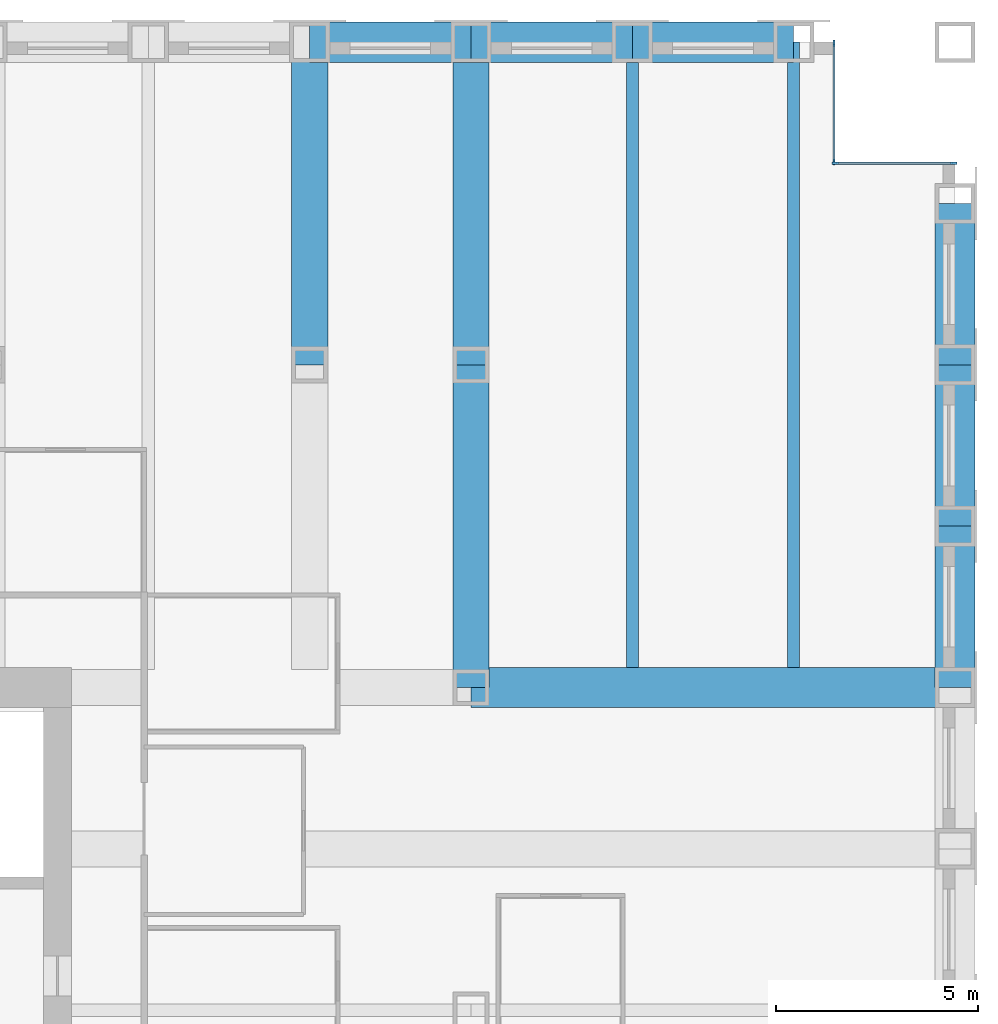
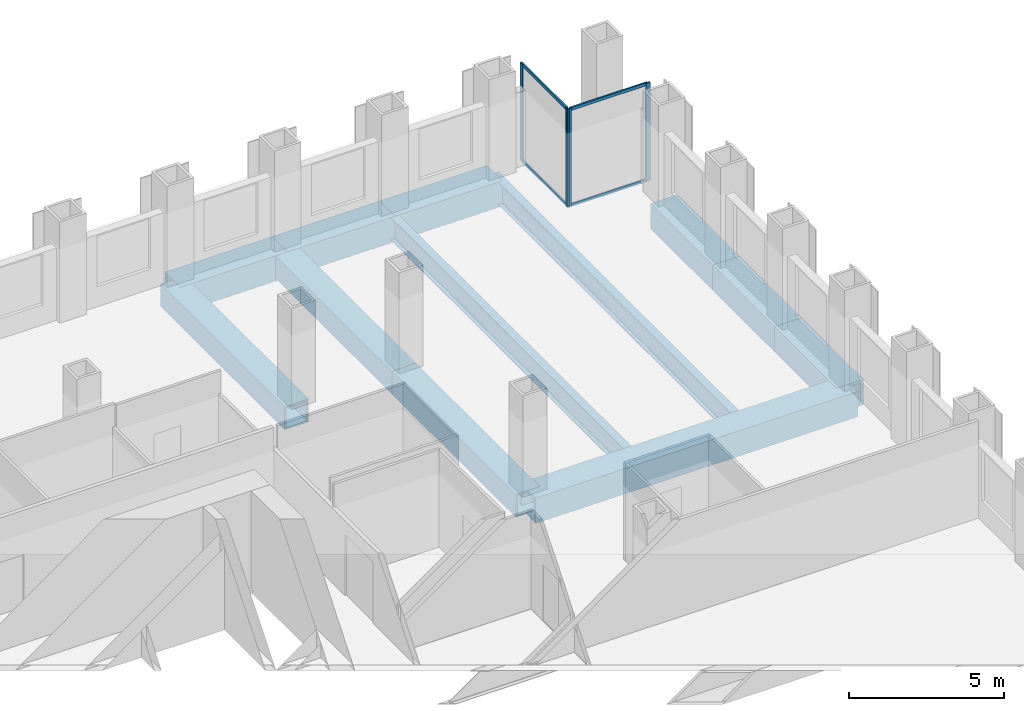
# One storey, part 9 of 16: 12 beams, 8 members, 2 elements without a shape of their own.
"""IFC4 building model written with IfcOpenShell, lengths in metres."""

import ifcopenshell
import ifcopenshell.guid

model = None  # the IFC model being written
_history = None  # IfcOwnerHistory: only IFC2X3 demands one
_inside = {}  # id of a spatial element -> (the spatial element, [elements in it])
_under = {}  # id of a project, library or spatial element -> (it, [spatial elements below it])
_declared = {}  # id of a project -> (the project, [libraries it declares])
_typed = {}  # id of a type object -> (the type object, [elements of that type])
_made_of = {}  # id of a material, layer set ... -> (it, [elements and type objects made of it])


def new_model(schema):
    """Start an empty IFC model of exactly this schema.

    Asked for "IFC4X3", IfcOpenShell would pick the latest addendum, in which some entities
    have other attributes; the version numbers below select the first issue.
    IFC2X3 requires an IfcOwnerHistory on every rooted entity: one is made here for all.
    """
    global model, _history
    if schema == "IFC4X3":
        model = ifcopenshell.file(schema_version=(4, 3, 0, 0))
    else:
        model = ifcopenshell.file(schema=schema)
    _inside.clear()
    _under.clear()
    _declared.clear()
    _typed.clear()
    _made_of.clear()
    _history = None
    if model.schema == "IFC2X3":
        org = make("IfcOrganization", Name="unknown")
        user = make(
            "IfcPersonAndOrganization",
            ThePerson=make("IfcPerson", FamilyName="unknown"),
            TheOrganization=org,
        )
        app = make(
            "IfcApplication",
            ApplicationDeveloper=org,
            Version="unknown",
            ApplicationFullName="unknown",
            ApplicationIdentifier="unknown",
        )
        _history = make(
            "IfcOwnerHistory",
            OwningUser=user,
            OwningApplication=app,
            ChangeAction="ADDED",
            CreationDate=0,
        )
    return model


def make(cls, **values):
    """One entity of the class cls with the attributes given. An attribute that is None is left unset."""
    return model.create_entity(
        cls, **{name: value for name, value in values.items() if value is not None}
    )


def rooted(cls, **values):
    """An entity with a GlobalId (a new one), such as an element, a storey or a relation."""
    return make(cls, GlobalId=ifcopenshell.guid.new(), OwnerHistory=_history, **values)


def si_unit(unit_type, name, prefix=None):
    """IfcSIUnit, for example si_unit("LENGTHUNIT", "METRE", prefix="MILLI")."""
    return make("IfcSIUnit", UnitType=unit_type, Prefix=prefix, Name=name)


def assignment(units):
    """IfcUnitAssignment: the units of a project."""
    return None if units is None else make("IfcUnitAssignment", Units=units)


def point(xyz):
    """IfcCartesianPoint."""
    return None if xyz is None else make("IfcCartesianPoint", Coordinates=xyz)


def direction(xyz):
    """IfcDirection."""
    return None if xyz is None else make("IfcDirection", DirectionRatios=xyz)


def frame(location, z_axis=None, x_axis=None):
    """IfcAxis2Placement3D, a coordinate frame: its origin and axes. An axis left out is left unset."""
    return make(
        "IfcAxis2Placement3D",
        Location=point(location),
        Axis=direction(z_axis),
        RefDirection=direction(x_axis),
    )


def frame_2d(location, x_axis=None):
    """IfcAxis2Placement2D, a coordinate frame in the plane: its origin and x axis."""
    return make(
        "IfcAxis2Placement2D", Location=point(location), RefDirection=direction(x_axis)
    )


def origin():
    """The frame at (0, 0, 0) with its axes left unset."""
    return frame((0.0, 0.0, 0.0))


def origin_2d():
    """The frame at (0, 0) in the plane with its x axis left unset."""
    return frame_2d((0.0, 0.0))


def place(relative_to, where):
    """IfcLocalPlacement: puts the frame where relative to a parent placement (None: the world)."""
    return make(
        "IfcLocalPlacement", PlacementRelTo=relative_to, RelativePlacement=where
    )


def context(
    kind, dimensions, precision=None, world=None, true_north=None, identifier=None
):
    """IfcGeometricRepresentationContext, for example the 3D "Model" context."""
    return make(
        "IfcGeometricRepresentationContext",
        ContextIdentifier=identifier,
        ContextType=kind,
        CoordinateSpaceDimension=dimensions,
        Precision=precision,
        WorldCoordinateSystem=world,
        TrueNorth=true_north,
    )


def subcontext(parent, identifier, kind, view, scale=None):
    """IfcGeometricRepresentationSubContext, for example "Body" below "Model"."""
    return make(
        "IfcGeometricRepresentationSubContext",
        ContextIdentifier=identifier,
        ContextType=kind,
        ParentContext=parent,
        TargetScale=scale,
        TargetView=view,
    )


def project(units=None, contexts=None):
    """IfcProject with its units and contexts."""
    return rooted(
        "IfcProject",
        Name="project",
        RepresentationContexts=contexts,
        UnitsInContext=assignment(units),
    )


def spatial(cls, under=None, at=None, **own):
    """A site, building, storey or space (cls), placed at a placement, below another one or the project."""
    s = rooted(cls, ObjectPlacement=at, **own)
    if under is not None:
        _under.setdefault(under.id(), (under, []))[1].append(s)
    return s


def profile(cls, at=None, kind="AREA", **sizes):
    """A parametric profile (cls). Its sizes go by their IFC names, for example OverallWidth=200.0."""
    return make(cls, ProfileType=kind, Position=at, **sizes)


def rectangle(**sizes):
    """IfcRectangleProfileDef."""
    return profile("IfcRectangleProfileDef", **sizes)


def hollow_rectangle(**sizes):
    """IfcRectangleHollowProfileDef."""
    return profile("IfcRectangleHollowProfileDef", **sizes)


def i_section(**sizes):
    """IfcIShapeProfileDef."""
    return profile("IfcIShapeProfileDef", **sizes)


def extrude(swept, where, along, depth):
    """IfcExtrudedAreaSolid: the profile swept, set in the frame where, extruded along a direction by depth."""
    return make(
        "IfcExtrudedAreaSolid",
        SweptArea=swept,
        Position=where,
        ExtrudedDirection=direction(along),
        Depth=depth,
    )


def shape(context_of_items, identifier, shape_type, items):
    """IfcShapeRepresentation: the items that make up one representation, for example the "Body"."""
    return make(
        "IfcShapeRepresentation",
        ContextOfItems=context_of_items,
        RepresentationIdentifier=identifier,
        RepresentationType=shape_type,
        Items=items,
    )


def material(Name=None, Category=None):
    """IfcMaterial."""
    return make("IfcMaterial", Name=Name, Category=Category)


def material_profile(
    of_material, cross_section, Name=None, Category=None, Priority=None
):
    """IfcMaterialProfile: a cross section and its material."""
    return make(
        "IfcMaterialProfile",
        Name=Name,
        Material=of_material,
        Profile=cross_section,
        Priority=Priority,
        Category=Category,
    )


def profile_set(profiles, Name=None, composite=None):
    """IfcMaterialProfileSet."""
    return make(
        "IfcMaterialProfileSet",
        Name=Name,
        MaterialProfiles=profiles,
        CompositeProfile=composite,
    )


def made_of(thing, what):
    """Note that an element or type object is made of a material, layer set ...; save() writes the relation."""
    if what is not None:
        _made_of.setdefault(what.id(), (what, []))[1].append(thing)
    return thing


def type_object(cls, material=None, **own):
    """A type object (cls), such as IfcWallType, which elements share."""
    return made_of(rooted(cls, **own), material)


def element(
    cls,
    number,
    at=None,
    inside=None,
    cuts=None,
    type_object=None,
    material=None,
    context=None,
    identifier="Body",
    shape_type=None,
    held_by="IfcProductDefinitionShape",
    body=None,
    shapes=None,
    **own,
):
    """One element of the class cls, such as IfcWall. Its Tag is "e" and its number.

    at: its placement. inside: the storey or other place that contains it. cuts: it is an
    opening in that element (IfcRelVoidsElement). A single representation is given by context,
    identifier, shape_type and body (its items); several are given by shapes. held_by: the class
    of the entity that holds the representations. save() writes the other relations.
    """
    e = rooted(cls, Tag="e%d" % number, ObjectPlacement=at, **own)
    if body is not None:
        shapes = [shape(context, identifier, shape_type, body)]
    if shapes is not None:
        e.Representation = make(held_by, Representations=shapes)
    if inside is not None:
        _inside.setdefault(inside.id(), (inside, []))[1].append(e)
    if cuts is not None:
        rooted(
            "IfcRelVoidsElement", RelatingBuildingElement=cuts, RelatedOpeningElement=e
        )
    if type_object is not None:
        _typed.setdefault(type_object.id(), (type_object, []))[1].append(e)
    return made_of(e, material)


def aggregate(whole, parts):
    """IfcRelAggregates: a whole, such as a stair, and the parts it consists of."""
    return rooted("IfcRelAggregates", RelatingObject=whole, RelatedObjects=parts)


def save(model, path):
    """Write the relations noted so far, then the file.

    IfcRelAggregates (storeys below a building ...), IfcRelContainedInSpatialStructure (elements
    in a storey), IfcRelDefinesByType, IfcRelAssociatesMaterial and IfcRelDeclares: one each for
    every whole, place, type object, material and project.
    """
    for whole, parts in _under.values():
        aggregate(whole, parts)
    for where, things in _inside.values():
        rooted(
            "IfcRelContainedInSpatialStructure",
            RelatedElements=things,
            RelatingStructure=where,
        )
    for kind, things in _typed.values():
        rooted("IfcRelDefinesByType", RelatedObjects=things, RelatingType=kind)
    for what, things in _made_of.values():
        rooted("IfcRelAssociatesMaterial", RelatedObjects=things, RelatingMaterial=what)
    for by, libraries in _declared.values():
        rooted("IfcRelDeclares", RelatingContext=by, RelatedDefinitions=libraries)
    model.write(path)


model = new_model("IFC4")

# Units and contexts
model_context = context("Model", 3, precision=1e-05, world=origin(), true_north=direction((0.0, 1.0)))
body_context = subcontext(model_context, "Body", "Model", "MODEL_VIEW")
ifc_project = project(units=[si_unit("LENGTHUNIT", "METRE"), si_unit("AREAUNIT", "SQUARE_METRE"), si_unit("VOLUMEUNIT", "CUBIC_METRE"), si_unit("PLANEANGLEUNIT", "RADIAN"), si_unit("MASSUNIT", "GRAM", prefix="KILO")], contexts=[model_context])

# Site, building, storey
site_placement = place(None, origin())
site = spatial("IfcSite", under=ifc_project, at=site_placement, CompositionType="ELEMENT")
building_placement = place(site_placement, origin())
building = spatial("IfcBuilding", under=site, at=building_placement, Name="Rimbunsela Tower", CompositionType="ELEMENT")
storey_placement = place(building_placement, frame((0.0, 0.0, 121.39990234375)))
storey = spatial("IfcBuildingStorey", under=building, at=storey_placement, Name="L29", CompositionType="ELEMENT", Elevation=121.39990234375)

# Beams
ifc_material_1 = material(Name="Steel BJ 55 (fy 410 MPa)", Category="steel")
ifc_material_profile_1 = material_profile(ifc_material_1, hollow_rectangle(XDim=1.0, YDim=1.0, WallThickness=0.10009765625, at=origin_2d()), Name="BOX 1000x1000x100")
ifc_profile_set_1 = profile_set([ifc_material_profile_1], Name="Steel BJ 55 (fy 410 MPa)")
beam_type_1 = type_object("IfcBeamType", Name="Beam BOX 1000x1000x100", PredefinedType="BEAM", material=ifc_profile_set_1)
beam_1_placement = place(storey_placement, frame((42.0, 52.0, -0.64990234375), z_axis=(1.0, 0.0, 0.0), x_axis=(0.0, 1.0, 0.0)))
element("IfcBeam", 1, at=beam_1_placement, inside=storey, type_object=beam_type_1, Name="Beam B3 L29", PredefinedType="BEAM", context=body_context, shape_type="SweptSolid", body=[
    extrude(hollow_rectangle(XDim=1.0, YDim=1.0, WallThickness=0.10009765625, at=origin_2d()), origin(), (0.0, 0.0, 1.0), 4.0),
])
beam_2_placement = place(storey_placement, frame((46.0, 36.0, -0.64990234375), z_axis=(1.0, 0.0, 0.0), x_axis=(0.0, 1.0, 0.0)))
element("IfcBeam", 2, at=beam_2_placement, inside=storey, type_object=beam_type_1, Name="Beam B3 L29", PredefinedType="BEAM", context=body_context, shape_type="SweptSolid", body=[
    extrude(hollow_rectangle(XDim=1.0, YDim=1.0, WallThickness=0.10009765625, at=origin_2d()), origin(), (0.0, 0.0, 1.0), 12.0),
])
for number, where, z_axis, x_axis, name in (
    (3, (46.0, 52.0, -0.64990234375), (1.0, 0.0, 0.0), (0.0, 1.0, 0.0), "Beam B3 L29"),
    (4, (50.0, 52.0, -0.64990234375), (1.0, 0.0, 0.0), (0.0, 1.0, 0.0), "Beam B3 L29"),
    (5, (58.0, 36.0, -0.64990234375), (0.0, 1.0, 0.0), (-1.0, 0.0, 0.0), "Beam B3 L29"),
    (6, (58.0, 40.0, -0.64990234375), (0.0, 1.0, 0.0), (-1.0, 0.0, 0.0), "Beam B3 L29"),
    (7, (58.0, 44.0, -0.64990234375), (0.0, 1.0, 0.0), (-1.0, 0.0, 0.0), "Beam B3 L29"),
):
    element("IfcBeam", number, at=place(storey_placement, frame(where, z_axis=z_axis, x_axis=x_axis)), inside=storey, type_object=beam_type_1, Name=name, PredefinedType="BEAM", context=body_context, shape_type="SweptSolid", body=[
        extrude(hollow_rectangle(XDim=1.0, YDim=1.0, WallThickness=0.10009765625, at=origin_2d()), origin(), (0.0, 0.0, 1.0), 4.0),
    ])
ifc_material_2 = material(Name="Steel BJ 55 (fy 410 MPa)", Category="steel")
ifc_material_profile_2 = material_profile(ifc_material_2, hollow_rectangle(XDim=0.89990234375, YDim=0.89990234375, WallThickness=0.06005859375, at=origin_2d()), Name="BOX 900x900x60")
ifc_profile_set_2 = profile_set([ifc_material_profile_2], Name="Steel BJ 55 (fy 410 MPa)")
beam_type_2 = type_object("IfcBeamType", Name="Beam BOX 900x900x60", PredefinedType="BEAM", material=ifc_profile_set_2)
for number, where, z_axis, x_axis, name in (
    (8, (42.0, 44.0, -0.599853515625), (0.0, 1.0, 0.0), (-1.0, 0.0, 0.0), "Beam B1 L29"),
    (9, (46.0, 36.0, -0.599853515625), (0.0, 1.0, 0.0), (-1.0, 0.0, 0.0), "Beam B1 L29"),
    (10, (46.0, 44.0, -0.599853515625), (0.0, 1.0, 0.0), (-1.0, 0.0, 0.0), "Beam B1 L29"),
):
    element("IfcBeam", number, at=place(storey_placement, frame(where, z_axis=z_axis, x_axis=x_axis)), inside=storey, type_object=beam_type_2, Name=name, PredefinedType="BEAM", context=body_context, shape_type="SweptSolid", body=[
        extrude(hollow_rectangle(XDim=0.89990234375, YDim=0.89990234375, WallThickness=0.06005859375, at=origin_2d()), origin(), (0.0, 0.0, 1.0), 8.0),
    ])
ifc_material_3 = material(Name="Steel BJ 55 (fy 410 MPa)", Category="steel")
ifc_material_profile_3 = material_profile(ifc_material_3, i_section(OverallWidth=0.300048828125, OverallDepth=0.89990234375, WebThickness=0.01611328125, FlangeThickness=0.028076171875, FilletRadius=0.028076171875, at=origin_2d()), Name="H 900x300x16x28")
ifc_profile_set_3 = profile_set([ifc_material_profile_3], Name="Steel BJ 55 (fy 410 MPa)")
beam_type_3 = type_object("IfcBeamType", Name="Beam H 900x300x16x28", PredefinedType="BEAM", material=ifc_profile_set_3)
for number, where, z_axis, x_axis, name in (
    (11, (50.0, 36.5, -0.599853515625), (0.0, 1.0, 0.0), (-1.0, 0.0, 0.0), "Beam B2 L29"),
    (12, (54.0, 36.5, -0.599853515625), (0.0, 1.0, 0.0), (-1.0, 0.0, 0.0), "Beam B2 L29"),
):
    element("IfcBeam", number, at=place(storey_placement, frame(where, z_axis=z_axis, x_axis=x_axis)), inside=storey, type_object=beam_type_3, Name=name, PredefinedType="BEAM", context=body_context, shape_type="SweptSolid", body=[
        extrude(i_section(OverallWidth=0.300048828125, OverallDepth=0.89990234375, WebThickness=0.01611328125, FlangeThickness=0.028076171875, FilletRadius=0.028076171875, at=origin_2d()), origin(), (0.0, 0.0, 1.0), 15.5),
    ])

# Curtain wall, members
ifc_material_4 = material(Name="Aluminium curtain wall", Category="aluminium")
curtain_wall_type = type_object("IfcCurtainWallType", Name="Corner glazing", PredefinedType="USERDEFINED", material=ifc_material_4)
curtain_wall_1_placement = place(storey_placement, origin())
curtain_wall_1 = element("IfcCurtainWall", 13, at=curtain_wall_1_placement, inside=storey, type_object=curtain_wall_type, Name="Corner glazing L29", ObjectType="CORNER GLAZING", PredefinedType="USERDEFINED")
ifc_material_5 = material(Name="Aluminium mullion", Category="aluminium")
ifc_material_profile_4 = material_profile(ifc_material_5, rectangle(XDim=0.06005859375, YDim=0.159912109375, at=origin_2d()), Name="Mullion 60x160")
ifc_profile_set_4 = profile_set([ifc_material_profile_4], Name="Aluminium mullion")
member_type_1 = type_object("IfcMemberType", Name="Curtain wall mullion 60x160", PredefinedType="MULLION", material=ifc_profile_set_4)
member_1_placement = place(storey_placement, frame((57.969970703125, 49.0, 0.0), z_axis=(0.0, 0.0, 1.0), x_axis=(0.0, -1.0, 0.0)))
member_1 = element("IfcMember", 14, at=member_1_placement, type_object=member_type_1, Name="CW5 mullion 1", PredefinedType="MULLION", context=body_context, shape_type="SweptSolid", body=[
    extrude(rectangle(XDim=0.06005859375, YDim=0.159912109375, at=origin_2d()), origin(), (0.0, 0.0, 1.0), 3.85009765625),
])
member_2_placement = place(storey_placement, frame((55.030029296875, 49.0, 0.0), z_axis=(0.0, 0.0, 1.0), x_axis=(0.0, -1.0, 0.0)))
member_2 = element("IfcMember", 15, at=member_2_placement, type_object=member_type_1, Name="CW5 mullion 2", PredefinedType="MULLION", context=body_context, shape_type="SweptSolid", body=[
    extrude(rectangle(XDim=0.06005859375, YDim=0.159912109375, at=origin_2d()), origin(), (0.0, 0.0, 1.0), 3.85009765625),
])

curtain_wall_2_placement = place(storey_placement, origin())
curtain_wall_2 = element("IfcCurtainWall", 16, at=curtain_wall_2_placement, inside=storey, type_object=curtain_wall_type, Name="Corner glazing L29", ObjectType="CORNER GLAZING", PredefinedType="USERDEFINED")
member_3_placement = place(storey_placement, frame((55.0, 49.030029296875, 0.0), z_axis=(0.0, 0.0, 1.0), x_axis=(-1.0, 0.0, 0.0)))
member_3 = element("IfcMember", 17, at=member_3_placement, type_object=member_type_1, Name="CW5 mullion 1", PredefinedType="MULLION", context=body_context, shape_type="SweptSolid", body=[
    extrude(rectangle(XDim=0.06005859375, YDim=0.159912109375, at=origin_2d()), origin(), (0.0, 0.0, 1.0), 3.85009765625),
])
member_4_placement = place(storey_placement, frame((55.0, 51.969970703125, 0.0), z_axis=(0.0, 0.0, 1.0), x_axis=(-1.0, 0.0, 0.0)))
member_4 = element("IfcMember", 18, at=member_4_placement, type_object=member_type_1, Name="CW5 mullion 2", PredefinedType="MULLION", context=body_context, shape_type="SweptSolid", body=[
    extrude(rectangle(XDim=0.06005859375, YDim=0.159912109375, at=origin_2d()), origin(), (0.0, 0.0, 1.0), 3.85009765625),
])

# Member
ifc_material_6 = material(Name="Aluminium transom", Category="aluminium")
ifc_material_profile_5 = material_profile(ifc_material_6, rectangle(XDim=0.06005859375, YDim=0.1201171875, at=origin_2d()), Name="Transom 60x120")
ifc_profile_set_5 = profile_set([ifc_material_profile_5], Name="Aluminium transom")
member_type_2 = type_object("IfcMemberType", Name="Curtain wall transom 60x120", PredefinedType="USERDEFINED", material=ifc_profile_set_5)
member_5_placement = place(storey_placement, frame((57.93994140625, 49.0, 0.030029296875), z_axis=(-1.0, 0.0, 0.0), x_axis=(0.0, -1.0, 0.0)))
member_5 = element("IfcMember", 19, at=member_5_placement, type_object=member_type_2, Name="CW5 transom 1.1", ObjectType="TRANSOM", PredefinedType="USERDEFINED", context=body_context, shape_type="SweptSolid", body=[
    extrude(rectangle(XDim=0.06005859375, YDim=0.1201171875, at=origin_2d()), origin(), (0.0, 0.0, 1.0), 2.8798828125),
])

member_6_placement = place(storey_placement, frame((57.93994140625, 49.0, 3.820068359375), z_axis=(-1.0, 0.0, 0.0), x_axis=(0.0, -1.0, 0.0)))
member_6 = element("IfcMember", 20, at=member_6_placement, type_object=member_type_2, Name="CW5 transom 1.2", ObjectType="TRANSOM", PredefinedType="USERDEFINED", context=body_context, shape_type="SweptSolid", body=[
    extrude(rectangle(XDim=0.06005859375, YDim=0.1201171875, at=origin_2d()), origin(), (0.0, 0.0, 1.0), 2.8798828125),
])

aggregate(curtain_wall_1, [member_1, member_2, member_5, member_6])

member_7_placement = place(storey_placement, frame((55.0, 49.06005859375, 0.030029296875), z_axis=(0.0, 1.0, 0.0), x_axis=(-1.0, 0.0, 0.0)))
member_7 = element("IfcMember", 21, at=member_7_placement, type_object=member_type_2, Name="CW5 transom 1.1", ObjectType="TRANSOM", PredefinedType="USERDEFINED", context=body_context, shape_type="SweptSolid", body=[
    extrude(rectangle(XDim=0.06005859375, YDim=0.1201171875, at=origin_2d()), origin(), (0.0, 0.0, 1.0), 2.8798828125),
])

member_8_placement = place(storey_placement, frame((55.0, 49.06005859375, 3.820068359375), z_axis=(0.0, 1.0, 0.0), x_axis=(-1.0, 0.0, 0.0)))
member_8 = element("IfcMember", 22, at=member_8_placement, type_object=member_type_2, Name="CW5 transom 1.2", ObjectType="TRANSOM", PredefinedType="USERDEFINED", context=body_context, shape_type="SweptSolid", body=[
    extrude(rectangle(XDim=0.06005859375, YDim=0.1201171875, at=origin_2d()), origin(), (0.0, 0.0, 1.0), 2.8798828125),
])

aggregate(curtain_wall_2, [member_3, member_4, member_7, member_8])

save(model, "model.ifc")
